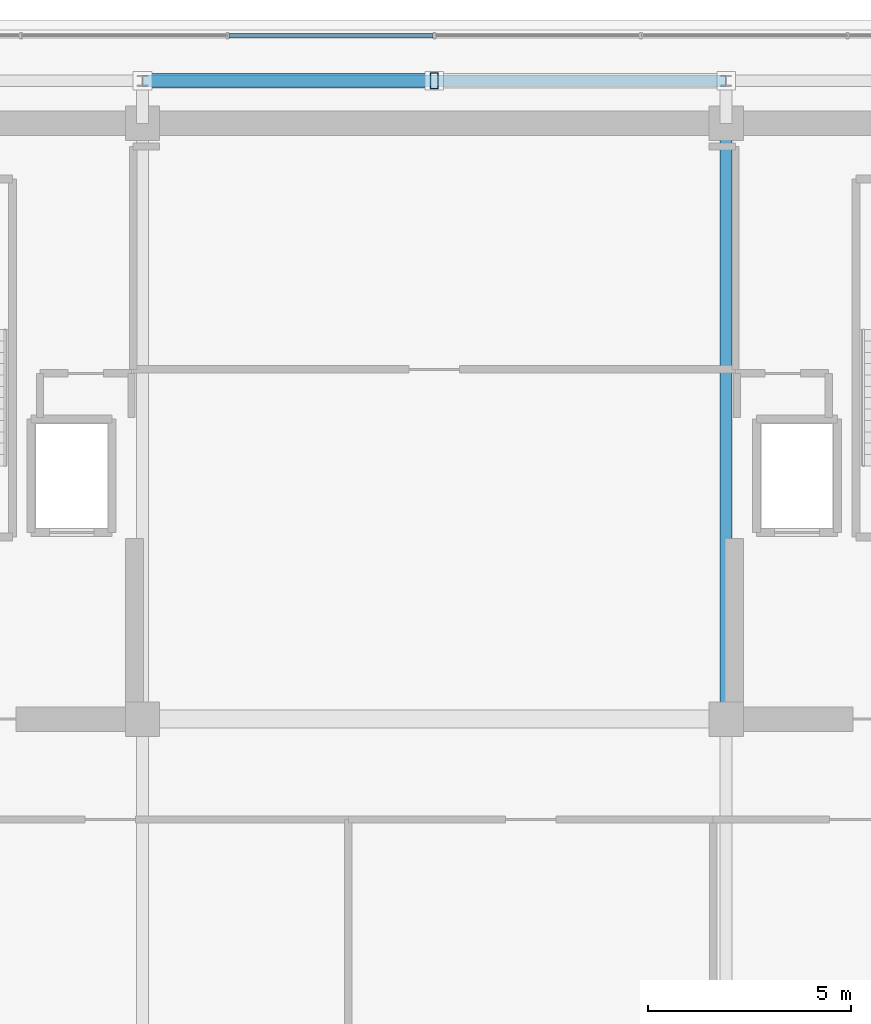
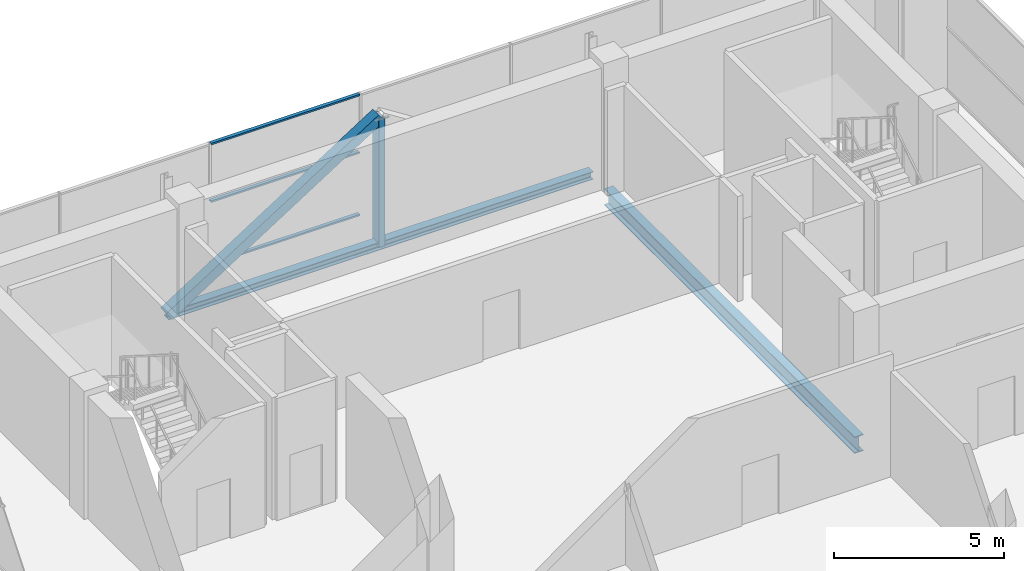
# One storey, part 17 of 28: 5 members, 2 beams, 1 element without a shape of its own.
"""IFC4 building model written with IfcOpenShell, lengths in metres."""

from ifc_helpers import new_model, si_unit, direction, frame, origin, origin_2d, place, context, subcontext, project, spatial, hollow_rectangle, i_section, extrude, source, transform, mapped, material, layer, layer_set, material_profile, profile_set, type_object, element, aggregate, save


model = new_model("IFC4")

# Units and contexts
model_context = context("Model", 3, precision=1e-05, world=origin(), true_north=direction((0.0, 1.0)))
body_context = subcontext(model_context, "Body", "Model", "MODEL_VIEW")
ifc_project = project(units=[si_unit("LENGTHUNIT", "METRE"), si_unit("AREAUNIT", "SQUARE_METRE"), si_unit("VOLUMEUNIT", "CUBIC_METRE"), si_unit("PLANEANGLEUNIT", "RADIAN"), si_unit("MASSUNIT", "GRAM", prefix="KILO")], contexts=[model_context])

# Site, building, storey
site_placement = place(None, origin())
site = spatial("IfcSite", under=ifc_project, at=site_placement, CompositionType="ELEMENT")
building_placement = place(site_placement, origin())
building = spatial("IfcBuilding", under=site, at=building_placement, Name="Zarnakvel Exchange Tower", CompositionType="ELEMENT")
storey_placement = place(building_placement, frame((0.0, 0.0, 290.0)))
storey = spatial("IfcBuildingStorey", under=building, at=storey_placement, Name="Crown L81", CompositionType="ELEMENT", Elevation=290.0)

# Beams
ifc_material_1 = material(Name="Steel S355", Category="steel")
ifc_material_profile_1 = material_profile(ifc_material_1, i_section(OverallWidth=0.300048828125, OverallDepth=0.60009765625, WebThickness=0.015380859375, FlangeThickness=0.030029296875, FilletRadius=0.027099609375, at=origin_2d()))
ifc_profile_set_1 = profile_set([ifc_material_profile_1], Name="Steel S355")
beam_type_1 = type_object("IfcBeamType", Name="G-04", PredefinedType="BEAM", material=ifc_profile_set_1)
beam_1_placement = place(storey_placement, frame((7.199951171875, -1.199951171875, -0.52001953125), z_axis=(0.0, 1.0, 0.0), x_axis=(-1.0, 0.0, 0.0)))
element("IfcBeam", 1, at=beam_1_placement, inside=storey, type_object=beam_type_1, Name="Crown L81 Tower N-S Frame Beam", PredefinedType="BEAM", context=body_context, shape_type="SweptSolid", body=[
    extrude(i_section(OverallWidth=0.300048828125, OverallDepth=0.60009765625, WebThickness=0.015380859375, FlangeThickness=0.030029296875, FilletRadius=0.027099609375, at=origin_2d()), origin(), (0.0, 0.0, 1.0), 14.699951171875),
])
ifc_material_profile_2 = material_profile(ifc_material_1, i_section(OverallWidth=0.280029296875, OverallDepth=0.280029296875, WebThickness=0.010498046875, FlangeThickness=0.01806640625, FilletRadius=0.02392578125, at=origin_2d()))
ifc_profile_set_2 = profile_set([ifc_material_profile_2], Name="Steel S355")
beam_type_2 = type_object("IfcBeamType", Name="SP-04", PredefinedType="SPANDREL", material=ifc_profile_set_2)
beam_2_placement = place(storey_placement, frame((-7.199951171875, 14.550048828125, -0.360107421875), z_axis=(1.0, 0.0, 0.0), x_axis=(0.0, 1.0, 0.0)))
element("IfcBeam", 2, at=beam_2_placement, inside=storey, type_object=beam_type_2, Name="Crown L81 Tower E-W Frame Beam", PredefinedType="SPANDREL", context=body_context, shape_type="SweptSolid", body=[
    extrude(i_section(OverallWidth=0.280029296875, OverallDepth=0.280029296875, WebThickness=0.010498046875, FlangeThickness=0.01806640625, FilletRadius=0.02392578125, at=origin_2d()), origin(), (0.0, 0.0, 1.0), 14.39990234375),
])

# Members
ifc_material_profile_3 = material_profile(ifc_material_1, hollow_rectangle(XDim=0.35009765625, YDim=0.35009765625, WallThickness=0.01611328125, at=origin_2d()))
ifc_profile_set_3 = profile_set([ifc_material_profile_3], Name="Steel S355")
member_type_1 = type_object("IfcMemberType", Name="CB-BR1", PredefinedType="BRACE", material=ifc_profile_set_3)
shared_shape_1 = source(origin(), body_context, "Body", "SweptSolid", [
    extrude(hollow_rectangle(XDim=0.35009765625, YDim=0.35009765625, WallThickness=0.01611328125, at=origin_2d()), origin(), (0.0, 0.0, 1.0), 8.5439453125),
])
member_1_placement = place(storey_placement, frame((-7.199951171875, 14.550048828125, -0.360107421875), z_axis=(0.842689417531, 0.0, 0.53839998661), x_axis=(0.0, 1.0, 0.0)))
element("IfcMember", 3, at=member_1_placement, inside=storey, type_object=member_type_1, Name="Crown L81 Crown Chevron Brace L (CB-BR1)", PredefinedType="BRACE", context=body_context, shape_type="MappedRepresentation", body=[
    mapped(shared_shape_1, transform((0.0, 0.0, 0.0), x_axis=(1.0, 0.0, 0.0), y_axis=(0.0, 1.0, 0.0), z_axis=(0.0, 0.0, 1.0), scale=1.0)),
])
ifc_material_profile_4 = material_profile(ifc_material_1, hollow_rectangle(XDim=0.199951171875, YDim=0.39990234375, WallThickness=0.01611328125, at=origin_2d()))
ifc_profile_set_4 = profile_set([ifc_material_profile_4], Name="Steel S355")
member_type_2 = type_object("IfcMemberType", Name="CB-ST1", PredefinedType="STRUT", material=ifc_profile_set_4)
shared_shape_2 = source(origin(), body_context, "Body", "SweptSolid", [
    extrude(hollow_rectangle(XDim=0.199951171875, YDim=0.39990234375, WallThickness=0.01611328125, at=origin_2d()), origin(), (0.0, 0.0, 1.0), 4.60009765625),
])
member_2_placement = place(storey_placement, frame((0.0, 14.550048828125, -0.360107421875), z_axis=(0.0, 0.0, 1.0), x_axis=(1.0, 0.0, 0.0)))
element("IfcMember", 4, at=member_2_placement, inside=storey, type_object=member_type_2, Name="Crown L81 Crown Frame Post (CB-ST1)", PredefinedType="STRUT", context=body_context, shape_type="MappedRepresentation", body=[
    mapped(shared_shape_2, transform((0.0, 0.0, 0.0), x_axis=(1.0, 0.0, 0.0), y_axis=(0.0, 1.0, 0.0), z_axis=(0.0, 0.0, 1.0), scale=1.0)),
])

# Curtain wall, members
ifc_material_2 = material(Name="Architectural Bronze Anodised Aluminium", Category="aluminium")
ifc_layer = layer(ifc_material_2, 0.14990234375)
ifc_layer_set = layer_set([ifc_layer], Name="Architectural Bronze Anodised Aluminium")
curtain_wall_type = type_object("IfcCurtainWallType", Name="CW-07", PredefinedType="NOTDEFINED", material=ifc_layer_set)
curtain_wall_placement = place(storey_placement, origin())
curtain_wall = element("IfcCurtainWall", 5, at=curtain_wall_placement, inside=storey, type_object=curtain_wall_type, Name="Crown L81 Curtain Wall CW-Crown L81-N (CW-07)", PredefinedType="NOTDEFINED")
ifc_material_profile_5 = material_profile(ifc_material_2, hollow_rectangle(XDim=0.1201171875, YDim=0.06005859375, WallThickness=0.00390625, at=origin_2d()))
ifc_profile_set_5 = profile_set([ifc_material_profile_5], Name="Architectural Bronze Anodised Aluminium")
member_type_3 = type_object("IfcMemberType", Name="CWT-07", PredefinedType="USERDEFINED", material=ifc_profile_set_5)
shared_shape_3 = source(origin(), body_context, "Body", "SweptSolid", [
    extrude(hollow_rectangle(XDim=0.1201171875, YDim=0.06005859375, WallThickness=0.00390625, at=origin_2d()), origin(), (0.0, 0.0, 1.0), 5.0400390625),
])
member_3_placement = place(storey_placement, frame((-5.070068359375, 15.659912109375, 0.030029296875), z_axis=(1.0, 0.0, 0.0), x_axis=(0.0, 1.0, 0.0)))
member_3 = element("IfcMember", 6, at=member_3_placement, type_object=member_type_3, Name="CW-07 transom 3.1", ObjectType="TRANSOM", PredefinedType="USERDEFINED", context=body_context, shape_type="MappedRepresentation", body=[
    mapped(shared_shape_3, transform((0.0, 0.0, 0.0), x_axis=(1.0, 0.0, 0.0), y_axis=(0.0, 1.0, 0.0), z_axis=(0.0, 0.0, 1.0), scale=1.0)),
])
member_4_placement = place(storey_placement, frame((-5.070068359375, 15.659912109375, 2.26708984375), z_axis=(1.0, 0.0, 0.0), x_axis=(0.0, 1.0, 0.0)))
member_4 = element("IfcMember", 7, at=member_4_placement, type_object=member_type_3, Name="CW-07 transom 3.2", ObjectType="TRANSOM", PredefinedType="USERDEFINED", context=body_context, shape_type="MappedRepresentation", body=[
    mapped(shared_shape_3, transform((0.0, 0.0, 0.0), x_axis=(1.0, 0.0, 0.0), y_axis=(0.0, 1.0, 0.0), z_axis=(0.0, 0.0, 1.0), scale=1.0)),
])
member_5_placement = place(storey_placement, frame((-5.070068359375, 15.659912109375, 4.330078125), z_axis=(1.0, 0.0, 0.0), x_axis=(0.0, 1.0, 0.0)))
member_5 = element("IfcMember", 8, at=member_5_placement, type_object=member_type_3, Name="CW-07 transom 3.3", ObjectType="TRANSOM", PredefinedType="USERDEFINED", context=body_context, shape_type="MappedRepresentation", body=[
    mapped(shared_shape_3, transform((0.0, 0.0, 0.0), x_axis=(1.0, 0.0, 0.0), y_axis=(0.0, 1.0, 0.0), z_axis=(0.0, 0.0, 1.0), scale=1.0)),
])
aggregate(curtain_wall, [member_3, member_4, member_5])

save(model, "model.ifc")
